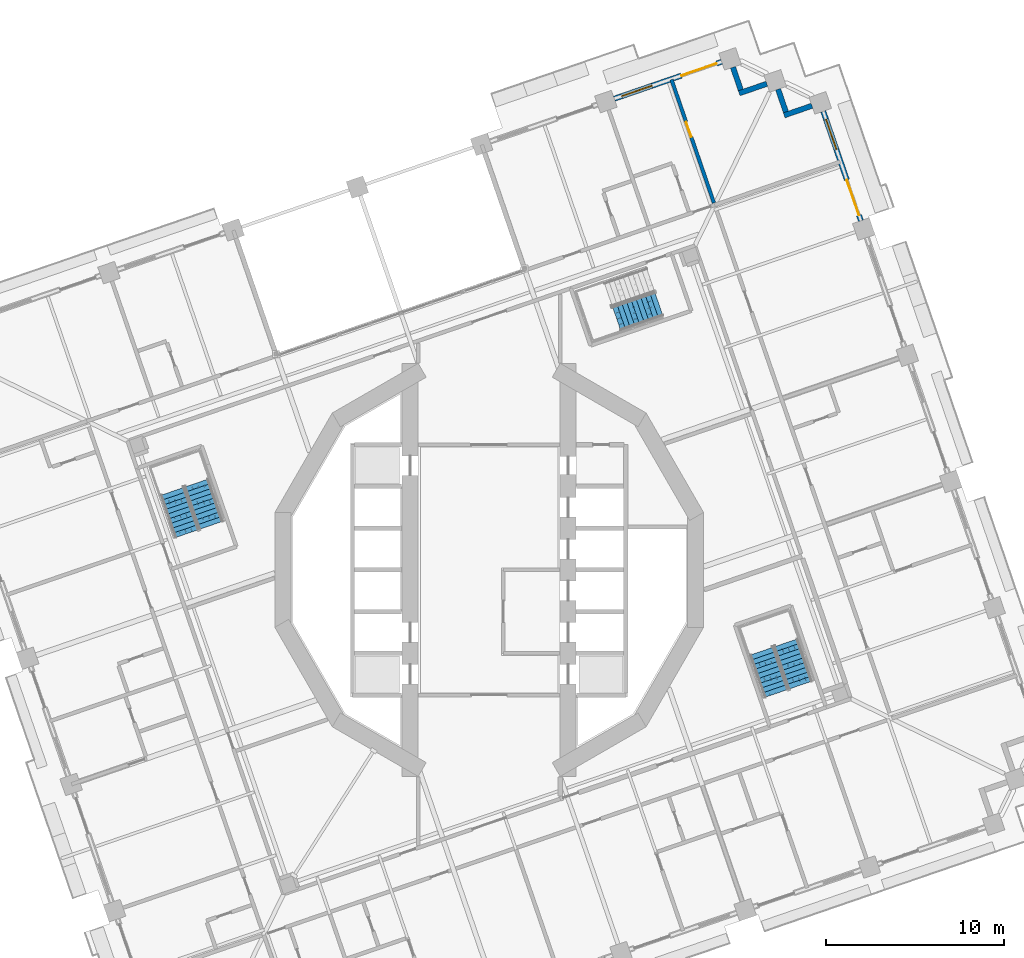
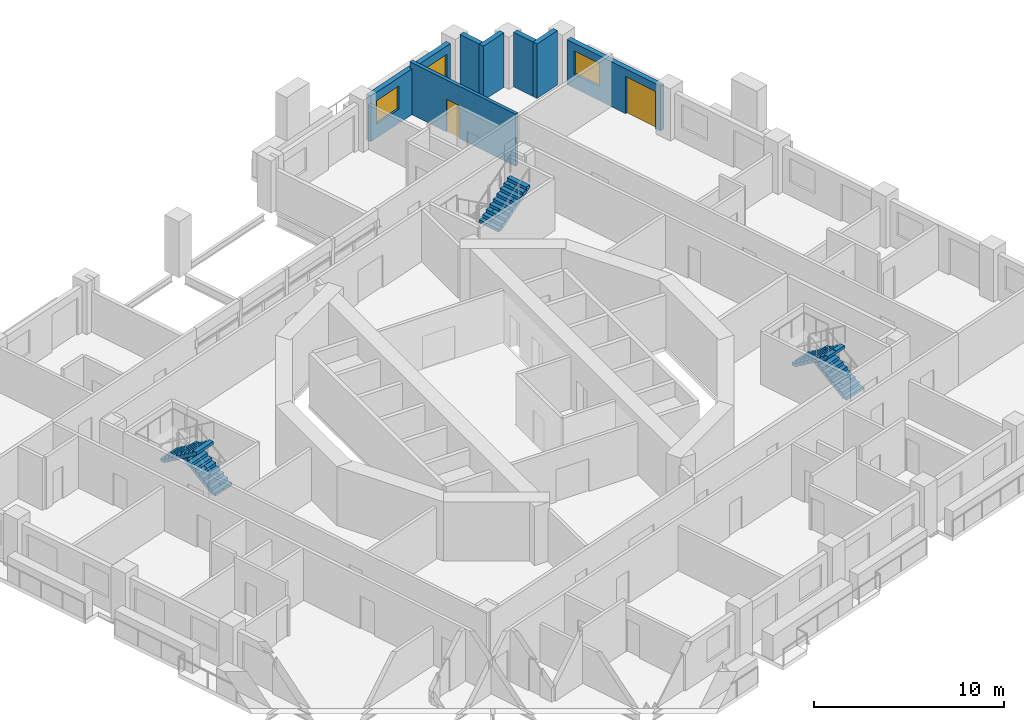
# One storey, part 13 of 22: 7 walls, 5 stair flights, 3 doors, 2 windows, 5 openings, 3 elements without a shape of their own.
"""IFC4 building model written with IfcOpenShell, lengths in metres."""

from ifc_helpers import new_model, si_unit, direction, frame, frame_2d, origin, place, context, subcontext, project, spatial, polyline, rectangle, outline, extrude, material, layer, layer_set, type_object, element, fill, aggregate, save


model = new_model("IFC4")

# Units and contexts
model_context = context("Model", 3, precision=1e-05, world=origin(), true_north=direction((0.0, 1.0)))
body_context = subcontext(model_context, "Body", "Model", "MODEL_VIEW")
ifc_project = project(units=[si_unit("LENGTHUNIT", "METRE"), si_unit("AREAUNIT", "SQUARE_METRE"), si_unit("VOLUMEUNIT", "CUBIC_METRE"), si_unit("PLANEANGLEUNIT", "RADIAN"), si_unit("MASSUNIT", "GRAM", prefix="KILO")], contexts=[model_context])

# Site, building, storey
site_placement = place(None, origin())
site = spatial("IfcSite", under=ifc_project, at=site_placement, CompositionType="ELEMENT")
building_placement = place(site_placement, origin())
building = spatial("IfcBuilding", under=site, at=building_placement, Name="Cantera Rosa Tower", CompositionType="ELEMENT")
storey_placement = place(building_placement, frame((0.0, 0.0, 138.300048828125)))
storey = spatial("IfcBuildingStorey", under=building, at=storey_placement, Name="L29", CompositionType="ELEMENT", Elevation=138.300048828125)

# Walls
ifc_material_1 = material(Name="Hollow clay masonry with cantera stone cladding", Category="masonry")
ifc_layer_1 = layer(ifc_material_1, 0.300048828125)
ifc_layer_set_1 = layer_set([ifc_layer_1], Name="EW-LOGGIA 300")
wall_type_1 = type_object("IfcWallType", Name="EW-LOGGIA 300", PredefinedType="SOLIDWALL", material=ifc_layer_set_1)
wall_1_placement = place(storey_placement, frame((18.17919921875, 26.142822265625, 0.0), z_axis=(0.0, 0.0, 1.0), x_axis=(-0.945530119553, -0.32553462645, 0.0)))
element("IfcWall", 1, at=wall_1_placement, inside=storey, type_object=wall_type_1, Name="EN-L29-W06a", PredefinedType="SOLIDWALL", context=body_context, shape_type="SweptSolid", body=[
    extrude(rectangle(XDim=1.64990234375, YDim=0.300048828125, at=frame_2d((0.824951171875, 0.0))), origin(), (0.0, 0.0, 1.0), 3.5),
])
wall_2_placement = place(storey_placement, frame((16.7119140625, 25.79638671875, 0.0), z_axis=(0.0, 0.0, 1.0), x_axis=(-0.325544748006, 0.945526634763, 0.0)))
element("IfcWall", 2, at=wall_2_placement, inside=storey, type_object=wall_type_1, Name="EN-L29-W06b", PredefinedType="SOLIDWALL", context=body_context, shape_type="SweptSolid", body=[
    extrude(rectangle(XDim=1.349853515625, YDim=0.300048828125, at=frame_2d((0.6748046875, 0.0))), origin(), (0.0, 0.0, 1.0), 3.5),
])
wall_3_placement = place(storey_placement, frame((15.636962890625, 27.3828125, 0.0), z_axis=(0.0, 0.0, 1.0), x_axis=(-0.945484566827, -0.325666906351, 0.0)))
element("IfcWall", 3, at=wall_3_placement, inside=storey, type_object=wall_type_1, Name="EN-L29-W07a", PredefinedType="SOLIDWALL", context=body_context, shape_type="SweptSolid", body=[
    extrude(rectangle(XDim=1.64990234375, YDim=0.300048828125, at=frame_2d((0.824951171875, 0.0))), origin(), (0.0, 0.0, 1.0), 3.5),
])
wall_4_placement = place(storey_placement, frame((14.169921875, 27.0361328125, 0.0), z_axis=(0.0, 0.0, 1.0), x_axis=(-0.325650742363, 0.945490134268, 0.0)))
element("IfcWall", 4, at=wall_4_placement, inside=storey, type_object=wall_type_1, Name="EN-L29-W07b", PredefinedType="SOLIDWALL", context=body_context, shape_type="SweptSolid", body=[
    extrude(rectangle(XDim=1.35009765625, YDim=0.300048828125, at=frame_2d((0.675048828125, 0.0))), origin(), (0.0, 0.0, 1.0), 3.5),
])

# Wall, openings, window, door
ifc_material_2 = material(Name="Hollow clay masonry with cantera stone cladding", Category="masonry")
ifc_layer_2 = layer(ifc_material_2, 0.300048828125)
ifc_layer_set_2 = layer_set([ifc_layer_2], Name="EW-LOGGIA 300 H2890")
wall_type_2 = type_object("IfcWallType", Name="EW-LOGGIA 300 H2890", PredefinedType="SOLIDWALL", material=ifc_layer_set_2)
wall_5_placement = place(storey_placement, frame((20.9375, 19.668212890625, 0.0), z_axis=(0.0, 0.0, 1.0), x_axis=(-0.325592517631, 0.945510186335, 0.0)))
wall_5 = element("IfcWall", 5, at=wall_5_placement, inside=storey, type_object=wall_type_2, Name="EN-L29-W05", PredefinedType="SOLIDWALL", context=body_context, shape_type="SweptSolid", body=[
    extrude(rectangle(XDim=6.519775390625, YDim=0.300048828125, at=frame_2d((3.259765625, 0.0))), origin(), (0.0, 0.0, 1.0), 2.889892578125),
])
opening_1_placement = place(wall_5_placement, frame((0.330078125, 0.0, 0.0)))
opening_1 = element("IfcOpeningElement", 6, at=opening_1_placement, cuts=wall_5, Name="Opening L29-TD09", PredefinedType="OPENING", context=body_context, shape_type="SweptSolid", body=[
    extrude(rectangle(XDim=2.10009765625, YDim=2.39990234375, at=frame_2d((1.050048828125, 1.199951171875))), frame((0.0, 0.159912109375, 0.0), z_axis=(0.0, -1.0, 0.0), x_axis=(1.0, 0.0, 0.0)), (0.0, 0.0, 1.0), 0.320068359375),
])
opening_2_placement = place(wall_5_placement, frame((4.239990234375, 0.0, 0.89990234375)))
opening_2 = element("IfcOpeningElement", 7, at=opening_2_placement, cuts=wall_5, Name="Opening L29-W10", PredefinedType="OPENING", context=body_context, shape_type="SweptSolid", body=[
    extrude(rectangle(XDim=1.800048828125, YDim=1.5, at=frame_2d((0.89990234375, 0.75))), frame((0.0, 0.159912109375, 0.0), z_axis=(0.0, -1.0, 0.0), x_axis=(1.0, 0.0, 0.0)), (0.0, 0.0, 1.0), 0.320068359375),
])
ifc_material_3 = material(Name="Aluminium frame with clear glass", Category="aluminium")
window_type = type_object("IfcWindowType", Name="Hotel room window 1800x1500", PartitioningType="DOUBLE_PANEL_VERTICAL", PredefinedType="WINDOW", material=ifc_material_3)
window_1_placement = place(opening_2_placement, origin())
window_1 = element("IfcWindow", 8, at=window_1_placement, inside=storey, type_object=window_type, Name="WINDOW L29-W10", OverallHeight=1.5, OverallWidth=1.800048828125, PartitioningType="SINGLE_PANEL", PredefinedType="WINDOW", context=body_context, shape_type="SweptSolid", body=[
    extrude(rectangle(XDim=1.800048828125, YDim=1.5, at=frame_2d((0.89990234375, 0.75))), frame((0.0, 0.030029296875, 0.0), z_axis=(0.0, -1.0, 0.0), x_axis=(1.0, 0.0, 0.0)), (0.0, 0.0, 1.0), 0.06005859375),
])
fill(opening_2, window_1)
ifc_material_4 = material(Name="Aluminium frame with clear glass", Category="aluminium")
door_type_1 = type_object("IfcDoorType", Name="TD-H 2100x2400", OperationType="NOTDEFINED", PredefinedType="DOOR", material=ifc_material_4)
door_1_placement = place(opening_1_placement, origin())
door_1 = element("IfcDoor", 9, at=door_1_placement, inside=storey, type_object=door_type_1, Name="LOGGIA DOOR L29-TD09", OperationType="SLIDING_TO_LEFT", OverallHeight=2.39990234375, OverallWidth=2.10009765625, PredefinedType="DOOR", context=body_context, shape_type="SweptSolid", body=[
    extrude(rectangle(XDim=2.10009765625, YDim=2.39990234375, at=frame_2d((1.050048828125, 1.199951171875))), frame((0.0, 0.02490234375, 0.0), z_axis=(0.0, -1.0, 0.0), x_axis=(1.0, 0.0, 0.0)), (0.0, 0.0, 1.0), 0.050048828125),
])
fill(opening_1, door_1)

ifc_material_5 = material(Name="Hollow clay masonry with cantera stone cladding", Category="masonry")
ifc_layer_3 = layer(ifc_material_5, 0.300048828125)
ifc_layer_set_3 = layer_set([ifc_layer_3], Name="EW-LOGGIA 300 H2940")
wall_type_3 = type_object("IfcWallType", Name="EW-LOGGIA 300 H2940", PredefinedType="SOLIDWALL", material=ifc_layer_set_3)
wall_6_placement = place(storey_placement, frame((13.0947265625, 28.62255859375, 0.0), z_axis=(0.0, 0.0, 1.0), x_axis=(-0.945524496524, -0.325550958337, 0.0)))
wall_6 = element("IfcWall", 10, at=wall_6_placement, inside=storey, type_object=wall_type_3, Name="EN-L29-W08", PredefinedType="SOLIDWALL", context=body_context, shape_type="SweptSolid", body=[
    extrude(rectangle(XDim=6.39990234375, YDim=0.300048828125, at=frame_2d((3.199951171875, 0.0))), origin(), (0.0, 0.0, 1.0), 2.93994140625),
])
opening_3_placement = place(wall_6_placement, frame((0.300048828125, 0.0, 0.0)))
opening_3 = element("IfcOpeningElement", 11, at=opening_3_placement, cuts=wall_6, Name="Opening L29-TD11", PredefinedType="OPENING", context=body_context, shape_type="SweptSolid", body=[
    extrude(rectangle(XDim=2.10009765625, YDim=2.39990234375, at=frame_2d((1.050048828125, 1.199951171875))), frame((0.0, 0.159912109375, 0.0), z_axis=(0.0, -1.0, 0.0), x_axis=(1.0, 0.0, 0.0)), (0.0, 0.0, 1.0), 0.320068359375),
])
opening_4_placement = place(wall_6_placement, frame((4.14990234375, 0.0, 0.89990234375)))
opening_4 = element("IfcOpeningElement", 12, at=opening_4_placement, cuts=wall_6, Name="Opening L29-W12", PredefinedType="OPENING", context=body_context, shape_type="SweptSolid", body=[
    extrude(rectangle(XDim=1.800048828125, YDim=1.5, at=frame_2d((0.89990234375, 0.75))), frame((0.0, 0.159912109375, 0.0), z_axis=(0.0, -1.0, 0.0), x_axis=(1.0, 0.0, 0.0)), (0.0, 0.0, 1.0), 0.320068359375),
])
window_2_placement = place(opening_4_placement, origin())
window_2 = element("IfcWindow", 13, at=window_2_placement, inside=storey, type_object=window_type, Name="WINDOW L29-W12", OverallHeight=1.5, OverallWidth=1.800048828125, PartitioningType="SINGLE_PANEL", PredefinedType="WINDOW", context=body_context, shape_type="SweptSolid", body=[
    extrude(rectangle(XDim=1.800048828125, YDim=1.5, at=frame_2d((0.89990234375, 0.75))), frame((0.0, 0.030029296875, 0.0), z_axis=(0.0, -1.0, 0.0), x_axis=(1.0, 0.0, 0.0)), (0.0, 0.0, 1.0), 0.06005859375),
])
fill(opening_4, window_2)
door_2_placement = place(opening_3_placement, origin())
door_2 = element("IfcDoor", 14, at=door_2_placement, inside=storey, type_object=door_type_1, Name="LOGGIA DOOR L29-TD11", OperationType="SLIDING_TO_LEFT", OverallHeight=2.39990234375, OverallWidth=2.10009765625, PredefinedType="DOOR", context=body_context, shape_type="SweptSolid", body=[
    extrude(rectangle(XDim=2.10009765625, YDim=2.39990234375, at=frame_2d((1.050048828125, 1.199951171875))), frame((0.0, 0.02490234375, 0.0), z_axis=(0.0, -1.0, 0.0), x_axis=(1.0, 0.0, 0.0)), (0.0, 0.0, 1.0), 0.050048828125),
])
fill(opening_3, door_2)

# Wall, opening, door
ifc_material_6 = material(Name="Gypsum board partition")
ifc_layer_4 = layer(ifc_material_6, 0.199951171875)
ifc_layer_set_4 = layer_set([ifc_layer_4], Name="PARTITION 200 H3350")
wall_type_4 = type_object("IfcWallType", Name="PARTITION 200 H3350", PredefinedType="PARTITIONING", material=ifc_layer_set_4)
wall_7_placement = place(storey_placement, frame((12.660888671875, 20.66796875, 0.0), z_axis=(0.0, 0.0, 1.0), x_axis=(-0.325549451152, 0.945525015457, 0.0)))
wall_7 = element("IfcWall", 15, at=wall_7_placement, inside=storey, type_object=wall_type_4, Name="PARTITION L29-093", PredefinedType="PARTITIONING", context=body_context, shape_type="SweptSolid", body=[
    extrude(rectangle(XDim=7.35009765625, YDim=0.199951171875, at=frame_2d((3.675048828125, 0.0))), origin(), (0.0, 0.0, 1.0), 3.349853515625),
])
opening_5_placement = place(wall_7_placement, frame((3.929931640625, 0.0, 0.0)))
opening_5 = element("IfcOpeningElement", 16, at=opening_5_placement, cuts=wall_7, Name="Opening L29-028", PredefinedType="OPENING", context=body_context, shape_type="SweptSolid", body=[
    extrude(rectangle(XDim=0.89990234375, YDim=2.10009765625, at=frame_2d((0.449951171875, 1.050048828125))), frame((0.0, 0.10986328125, 0.0), z_axis=(0.0, -1.0, 0.0), x_axis=(1.0, 0.0, 0.0)), (0.0, 0.0, 1.0), 0.219970703125),
])
ifc_material_7 = material(Name="Timber door leaf", Category="wood")
door_type_2 = type_object("IfcDoorType", Name="ROOM DOOR 900x2100", OperationType="NOTDEFINED", PredefinedType="DOOR", material=ifc_material_7)
door_3_placement = place(opening_5_placement, origin())
door_3 = element("IfcDoor", 17, at=door_3_placement, inside=storey, type_object=door_type_2, Name="DOOR L29-028", OperationType="NOTDEFINED", OverallHeight=2.10009765625, OverallWidth=0.89990234375, PredefinedType="DOOR", context=body_context, shape_type="SweptSolid", body=[
    extrude(rectangle(XDim=0.89990234375, YDim=2.10009765625, at=frame_2d((0.449951171875, 1.050048828125))), frame((0.0, 0.02490234375, 0.0), z_axis=(0.0, -1.0, 0.0), x_axis=(1.0, 0.0, 0.0)), (0.0, 0.0, 1.0), 0.050048828125),
])
fill(opening_5, door_3)

# Stair, stair flight
ifc_material_8 = material(Name="Concrete C35/45", Category="concrete")
stair_type = type_object("IfcStairType", Name="EXIT STAIR 1350 DOGLEG", PredefinedType="HALF_TURN_STAIR", material=ifc_material_8)
stair_1_placement = place(storey_placement, origin())
stair_1 = element("IfcStair", 18, at=stair_1_placement, inside=storey, type_object=stair_type, Name="L29 ST-21", PredefinedType="HALF_TURN_STAIR")
ifc_material_9 = material(Name="Concrete C35/45", Category="concrete")
stair_flight_type = type_object("IfcStairFlightType", Name="STAIR FLIGHT 1350 R20x190", PredefinedType="STRAIGHT", material=ifc_material_9)
stair_flight_1_placement = place(storey_placement, frame((7.185302734375, 14.126220703125, 1.89990234375), z_axis=(0.0, 0.0, 1.0), x_axis=(0.945518575599, 0.325568154457, 0.0)))
stair_flight_1 = element("IfcStairFlight", 19, at=stair_flight_1_placement, type_object=stair_flight_type, Name="ST-21 flight 2", NumberOfRisers=10, NumberOfTreads=9, PredefinedType="STRAIGHT", RiserHeight=0.19, TreadLength=0.28, context=body_context, shape_type="SweptSolid", body=[
    extrude(outline(polyline([(0.0, 0.0), (0.0, 0.18994140625), (0.280029296875, 0.18994140625), (0.280029296875, 0.3798828125), (0.56005859375, 0.3798828125), (0.56005859375, 0.570068359375), (0.840087890625, 0.570068359375), (0.840087890625, 0.760009765625), (1.1201171875, 0.760009765625), (1.1201171875, 0.949951171875), (1.39990234375, 0.949951171875), (1.39990234375, 1.139892578125), (1.679931640625, 1.139892578125), (1.679931640625, 1.330078125), (1.9599609375, 1.330078125), (1.9599609375, 1.52001953125), (2.239990234375, 1.52001953125), (2.239990234375, 1.7099609375), (2.52001953125, 1.7099609375), (2.52001953125, 1.89990234375), (2.52001953125, 1.52880859375), (0.266845703125, 0.0), (0.0, 0.0)])), frame((0.0, 0.675048828125, 0.0), z_axis=(0.0, -1.0, 0.0), x_axis=(1.0, 0.0, 0.0)), (0.0, 0.0, 1.0), 0.3359375),
    extrude(outline(polyline([(0.0, 0.0), (0.0, 0.18994140625), (0.280029296875, 0.18994140625), (0.280029296875, 0.3798828125), (0.56005859375, 0.3798828125), (0.56005859375, 0.570068359375), (0.840087890625, 0.570068359375), (0.840087890625, 0.760009765625), (1.1201171875, 0.760009765625), (1.1201171875, 0.949951171875), (1.39990234375, 0.949951171875), (1.39990234375, 1.139892578125), (1.679931640625, 1.139892578125), (1.679931640625, 1.330078125), (1.9599609375, 1.330078125), (1.9599609375, 1.52001953125), (2.239990234375, 1.52001953125), (2.239990234375, 1.7099609375), (2.52001953125, 1.7099609375), (2.52001953125, 1.89990234375), (2.52001953125, 1.52880859375), (0.266845703125, 0.0), (0.0, 0.0)])), frame((0.0, 0.337158203125, 0.0), z_axis=(0.0, -1.0, 0.0), x_axis=(1.0, 0.0, 0.0)), (0.0, 0.0, 1.0), 0.3359375),
    extrude(outline(polyline([(0.0, 0.0), (0.0, 0.18994140625), (0.280029296875, 0.18994140625), (0.280029296875, 0.3798828125), (0.56005859375, 0.3798828125), (0.56005859375, 0.570068359375), (0.840087890625, 0.570068359375), (0.840087890625, 0.760009765625), (1.1201171875, 0.760009765625), (1.1201171875, 0.949951171875), (1.39990234375, 0.949951171875), (1.39990234375, 1.139892578125), (1.679931640625, 1.139892578125), (1.679931640625, 1.330078125), (1.9599609375, 1.330078125), (1.9599609375, 1.52001953125), (2.239990234375, 1.52001953125), (2.239990234375, 1.7099609375), (2.52001953125, 1.7099609375), (2.52001953125, 1.89990234375), (2.52001953125, 1.52880859375), (0.266845703125, 0.0), (0.0, 0.0)])), frame((0.0, -0.000732421875, 0.0), z_axis=(0.0, -1.0, 0.0), x_axis=(1.0, 0.0, 0.0)), (0.0, 0.0, 1.0), 0.3359375),
    extrude(outline(polyline([(0.0, 0.0), (0.0, 0.18994140625), (0.280029296875, 0.18994140625), (0.280029296875, 0.3798828125), (0.56005859375, 0.3798828125), (0.56005859375, 0.570068359375), (0.840087890625, 0.570068359375), (0.840087890625, 0.760009765625), (1.1201171875, 0.760009765625), (1.1201171875, 0.949951171875), (1.39990234375, 0.949951171875), (1.39990234375, 1.139892578125), (1.679931640625, 1.139892578125), (1.679931640625, 1.330078125), (1.9599609375, 1.330078125), (1.9599609375, 1.52001953125), (2.239990234375, 1.52001953125), (2.239990234375, 1.7099609375), (2.52001953125, 1.7099609375), (2.52001953125, 1.89990234375), (2.52001953125, 1.52880859375), (0.266845703125, 0.0), (0.0, 0.0)])), frame((0.0, -0.338623046875, 0.0), z_axis=(0.0, -1.0, 0.0), x_axis=(1.0, 0.0, 0.0)), (0.0, 0.0, 1.0), 0.3359375),
])
aggregate(stair_1, [stair_flight_1])

# Stair, stair flights
stair_2_placement = place(storey_placement, origin())
stair_2 = element("IfcStair", 20, at=stair_2_placement, inside=storey, type_object=stair_type, Name="L29 ST-22", PredefinedType="HALF_TURN_STAIR")
stair_flight_2_placement = place(storey_placement, frame((-15.635009765625, 2.5205078125, 0.0), z_axis=(0.0, 0.0, 1.0), x_axis=(-0.325568154457, 0.945518575599, 0.0)))
stair_flight_2 = element("IfcStairFlight", 21, at=stair_flight_2_placement, type_object=stair_flight_type, Name="ST-22 flight 1", NumberOfRisers=10, NumberOfTreads=9, PredefinedType="STRAIGHT", RiserHeight=0.19, TreadLength=0.28, context=body_context, shape_type="SweptSolid", body=[
    extrude(outline(polyline([(0.0, 0.0), (0.0, 0.18994140625), (0.280029296875, 0.18994140625), (0.280029296875, 0.3798828125), (0.56005859375, 0.3798828125), (0.56005859375, 0.570068359375), (0.840087890625, 0.570068359375), (0.840087890625, 0.760009765625), (1.1201171875, 0.760009765625), (1.1201171875, 0.949951171875), (1.39990234375, 0.949951171875), (1.39990234375, 1.139892578125), (1.679931640625, 1.139892578125), (1.679931640625, 1.330078125), (1.9599609375, 1.330078125), (1.9599609375, 1.52001953125), (2.239990234375, 1.52001953125), (2.239990234375, 1.7099609375), (2.52001953125, 1.7099609375), (2.52001953125, 1.89990234375), (2.52001953125, 1.52880859375), (0.266845703125, 0.0), (0.0, 0.0)])), frame((0.0, 0.675048828125, 0.0), z_axis=(0.0, -1.0, 0.0), x_axis=(1.0, 0.0, 0.0)), (0.0, 0.0, 1.0), 0.3359375),
    extrude(outline(polyline([(0.0, 0.0), (0.0, 0.18994140625), (0.280029296875, 0.18994140625), (0.280029296875, 0.3798828125), (0.56005859375, 0.3798828125), (0.56005859375, 0.570068359375), (0.840087890625, 0.570068359375), (0.840087890625, 0.760009765625), (1.1201171875, 0.760009765625), (1.1201171875, 0.949951171875), (1.39990234375, 0.949951171875), (1.39990234375, 1.139892578125), (1.679931640625, 1.139892578125), (1.679931640625, 1.330078125), (1.9599609375, 1.330078125), (1.9599609375, 1.52001953125), (2.239990234375, 1.52001953125), (2.239990234375, 1.7099609375), (2.52001953125, 1.7099609375), (2.52001953125, 1.89990234375), (2.52001953125, 1.52880859375), (0.266845703125, 0.0), (0.0, 0.0)])), frame((0.0, 0.337158203125, 0.0), z_axis=(0.0, -1.0, 0.0), x_axis=(1.0, 0.0, 0.0)), (0.0, 0.0, 1.0), 0.3359375),
    extrude(outline(polyline([(0.0, 0.0), (0.0, 0.18994140625), (0.280029296875, 0.18994140625), (0.280029296875, 0.3798828125), (0.56005859375, 0.3798828125), (0.56005859375, 0.570068359375), (0.840087890625, 0.570068359375), (0.840087890625, 0.760009765625), (1.1201171875, 0.760009765625), (1.1201171875, 0.949951171875), (1.39990234375, 0.949951171875), (1.39990234375, 1.139892578125), (1.679931640625, 1.139892578125), (1.679931640625, 1.330078125), (1.9599609375, 1.330078125), (1.9599609375, 1.52001953125), (2.239990234375, 1.52001953125), (2.239990234375, 1.7099609375), (2.52001953125, 1.7099609375), (2.52001953125, 1.89990234375), (2.52001953125, 1.52880859375), (0.266845703125, 0.0), (0.0, 0.0)])), frame((0.0, -0.000732421875, 0.0), z_axis=(0.0, -1.0, 0.0), x_axis=(1.0, 0.0, 0.0)), (0.0, 0.0, 1.0), 0.3359375),
    extrude(outline(polyline([(0.0, 0.0), (0.0, 0.18994140625), (0.280029296875, 0.18994140625), (0.280029296875, 0.3798828125), (0.56005859375, 0.3798828125), (0.56005859375, 0.570068359375), (0.840087890625, 0.570068359375), (0.840087890625, 0.760009765625), (1.1201171875, 0.760009765625), (1.1201171875, 0.949951171875), (1.39990234375, 0.949951171875), (1.39990234375, 1.139892578125), (1.679931640625, 1.139892578125), (1.679931640625, 1.330078125), (1.9599609375, 1.330078125), (1.9599609375, 1.52001953125), (2.239990234375, 1.52001953125), (2.239990234375, 1.7099609375), (2.52001953125, 1.7099609375), (2.52001953125, 1.89990234375), (2.52001953125, 1.52880859375), (0.266845703125, 0.0), (0.0, 0.0)])), frame((0.0, -0.338623046875, 0.0), z_axis=(0.0, -1.0, 0.0), x_axis=(1.0, 0.0, 0.0)), (0.0, 0.0, 1.0), 0.3359375),
])
stair_flight_3_placement = place(storey_placement, frame((-17.873779296875, 4.414794921875, 1.89990234375), z_axis=(0.0, 0.0, 1.0), x_axis=(0.325568154457, -0.945518575599, 0.0)))
stair_flight_3 = element("IfcStairFlight", 22, at=stair_flight_3_placement, type_object=stair_flight_type, Name="ST-22 flight 2", NumberOfRisers=10, NumberOfTreads=9, PredefinedType="STRAIGHT", RiserHeight=0.19, TreadLength=0.28, context=body_context, shape_type="SweptSolid", body=[
    extrude(outline(polyline([(0.0, 0.0), (0.0, 0.18994140625), (0.280029296875, 0.18994140625), (0.280029296875, 0.3798828125), (0.56005859375, 0.3798828125), (0.56005859375, 0.570068359375), (0.840087890625, 0.570068359375), (0.840087890625, 0.760009765625), (1.1201171875, 0.760009765625), (1.1201171875, 0.949951171875), (1.39990234375, 0.949951171875), (1.39990234375, 1.139892578125), (1.679931640625, 1.139892578125), (1.679931640625, 1.330078125), (1.9599609375, 1.330078125), (1.9599609375, 1.52001953125), (2.239990234375, 1.52001953125), (2.239990234375, 1.7099609375), (2.52001953125, 1.7099609375), (2.52001953125, 1.89990234375), (2.52001953125, 1.52880859375), (0.266845703125, 0.0), (0.0, 0.0)])), frame((0.0, 0.675048828125, 0.0), z_axis=(0.0, -1.0, 0.0), x_axis=(1.0, 0.0, 0.0)), (0.0, 0.0, 1.0), 0.3359375),
    extrude(outline(polyline([(0.0, 0.0), (0.0, 0.18994140625), (0.280029296875, 0.18994140625), (0.280029296875, 0.3798828125), (0.56005859375, 0.3798828125), (0.56005859375, 0.570068359375), (0.840087890625, 0.570068359375), (0.840087890625, 0.760009765625), (1.1201171875, 0.760009765625), (1.1201171875, 0.949951171875), (1.39990234375, 0.949951171875), (1.39990234375, 1.139892578125), (1.679931640625, 1.139892578125), (1.679931640625, 1.330078125), (1.9599609375, 1.330078125), (1.9599609375, 1.52001953125), (2.239990234375, 1.52001953125), (2.239990234375, 1.7099609375), (2.52001953125, 1.7099609375), (2.52001953125, 1.89990234375), (2.52001953125, 1.52880859375), (0.266845703125, 0.0), (0.0, 0.0)])), frame((0.0, 0.337158203125, 0.0), z_axis=(0.0, -1.0, 0.0), x_axis=(1.0, 0.0, 0.0)), (0.0, 0.0, 1.0), 0.3359375),
    extrude(outline(polyline([(0.0, 0.0), (0.0, 0.18994140625), (0.280029296875, 0.18994140625), (0.280029296875, 0.3798828125), (0.56005859375, 0.3798828125), (0.56005859375, 0.570068359375), (0.840087890625, 0.570068359375), (0.840087890625, 0.760009765625), (1.1201171875, 0.760009765625), (1.1201171875, 0.949951171875), (1.39990234375, 0.949951171875), (1.39990234375, 1.139892578125), (1.679931640625, 1.139892578125), (1.679931640625, 1.330078125), (1.9599609375, 1.330078125), (1.9599609375, 1.52001953125), (2.239990234375, 1.52001953125), (2.239990234375, 1.7099609375), (2.52001953125, 1.7099609375), (2.52001953125, 1.89990234375), (2.52001953125, 1.52880859375), (0.266845703125, 0.0), (0.0, 0.0)])), frame((0.0, -0.000732421875, 0.0), z_axis=(0.0, -1.0, 0.0), x_axis=(1.0, 0.0, 0.0)), (0.0, 0.0, 1.0), 0.3359375),
    extrude(outline(polyline([(0.0, 0.0), (0.0, 0.18994140625), (0.280029296875, 0.18994140625), (0.280029296875, 0.3798828125), (0.56005859375, 0.3798828125), (0.56005859375, 0.570068359375), (0.840087890625, 0.570068359375), (0.840087890625, 0.760009765625), (1.1201171875, 0.760009765625), (1.1201171875, 0.949951171875), (1.39990234375, 0.949951171875), (1.39990234375, 1.139892578125), (1.679931640625, 1.139892578125), (1.679931640625, 1.330078125), (1.9599609375, 1.330078125), (1.9599609375, 1.52001953125), (2.239990234375, 1.52001953125), (2.239990234375, 1.7099609375), (2.52001953125, 1.7099609375), (2.52001953125, 1.89990234375), (2.52001953125, 1.52880859375), (0.266845703125, 0.0), (0.0, 0.0)])), frame((0.0, -0.338623046875, 0.0), z_axis=(0.0, -1.0, 0.0), x_axis=(1.0, 0.0, 0.0)), (0.0, 0.0, 1.0), 0.3359375),
])
aggregate(stair_2, [stair_flight_2, stair_flight_3])

stair_3_placement = place(storey_placement, origin())
stair_3 = element("IfcStair", 23, at=stair_3_placement, inside=storey, type_object=stair_type, Name="L29 ST-23", PredefinedType="HALF_TURN_STAIR")
stair_flight_4_placement = place(storey_placement, frame((17.56494140625, -6.4794921875, 0.0), z_axis=(0.0, 0.0, 1.0), x_axis=(-0.325568154457, 0.945518575599, 0.0)))
stair_flight_4 = element("IfcStairFlight", 24, at=stair_flight_4_placement, type_object=stair_flight_type, Name="ST-23 flight 1", NumberOfRisers=10, NumberOfTreads=9, PredefinedType="STRAIGHT", RiserHeight=0.19, TreadLength=0.28, context=body_context, shape_type="SweptSolid", body=[
    extrude(outline(polyline([(0.0, 0.0), (0.0, 0.18994140625), (0.280029296875, 0.18994140625), (0.280029296875, 0.3798828125), (0.56005859375, 0.3798828125), (0.56005859375, 0.570068359375), (0.840087890625, 0.570068359375), (0.840087890625, 0.760009765625), (1.1201171875, 0.760009765625), (1.1201171875, 0.949951171875), (1.39990234375, 0.949951171875), (1.39990234375, 1.139892578125), (1.679931640625, 1.139892578125), (1.679931640625, 1.330078125), (1.9599609375, 1.330078125), (1.9599609375, 1.52001953125), (2.239990234375, 1.52001953125), (2.239990234375, 1.7099609375), (2.52001953125, 1.7099609375), (2.52001953125, 1.89990234375), (2.52001953125, 1.52880859375), (0.266845703125, 0.0), (0.0, 0.0)])), frame((0.0, 0.675048828125, 0.0), z_axis=(0.0, -1.0, 0.0), x_axis=(1.0, 0.0, 0.0)), (0.0, 0.0, 1.0), 0.3359375),
    extrude(outline(polyline([(0.0, 0.0), (0.0, 0.18994140625), (0.280029296875, 0.18994140625), (0.280029296875, 0.3798828125), (0.56005859375, 0.3798828125), (0.56005859375, 0.570068359375), (0.840087890625, 0.570068359375), (0.840087890625, 0.760009765625), (1.1201171875, 0.760009765625), (1.1201171875, 0.949951171875), (1.39990234375, 0.949951171875), (1.39990234375, 1.139892578125), (1.679931640625, 1.139892578125), (1.679931640625, 1.330078125), (1.9599609375, 1.330078125), (1.9599609375, 1.52001953125), (2.239990234375, 1.52001953125), (2.239990234375, 1.7099609375), (2.52001953125, 1.7099609375), (2.52001953125, 1.89990234375), (2.52001953125, 1.52880859375), (0.266845703125, 0.0), (0.0, 0.0)])), frame((0.0, 0.337158203125, 0.0), z_axis=(0.0, -1.0, 0.0), x_axis=(1.0, 0.0, 0.0)), (0.0, 0.0, 1.0), 0.3359375),
    extrude(outline(polyline([(0.0, 0.0), (0.0, 0.18994140625), (0.280029296875, 0.18994140625), (0.280029296875, 0.3798828125), (0.56005859375, 0.3798828125), (0.56005859375, 0.570068359375), (0.840087890625, 0.570068359375), (0.840087890625, 0.760009765625), (1.1201171875, 0.760009765625), (1.1201171875, 0.949951171875), (1.39990234375, 0.949951171875), (1.39990234375, 1.139892578125), (1.679931640625, 1.139892578125), (1.679931640625, 1.330078125), (1.9599609375, 1.330078125), (1.9599609375, 1.52001953125), (2.239990234375, 1.52001953125), (2.239990234375, 1.7099609375), (2.52001953125, 1.7099609375), (2.52001953125, 1.89990234375), (2.52001953125, 1.52880859375), (0.266845703125, 0.0), (0.0, 0.0)])), frame((0.0, -0.000732421875, 0.0), z_axis=(0.0, -1.0, 0.0), x_axis=(1.0, 0.0, 0.0)), (0.0, 0.0, 1.0), 0.3359375),
    extrude(outline(polyline([(0.0, 0.0), (0.0, 0.18994140625), (0.280029296875, 0.18994140625), (0.280029296875, 0.3798828125), (0.56005859375, 0.3798828125), (0.56005859375, 0.570068359375), (0.840087890625, 0.570068359375), (0.840087890625, 0.760009765625), (1.1201171875, 0.760009765625), (1.1201171875, 0.949951171875), (1.39990234375, 0.949951171875), (1.39990234375, 1.139892578125), (1.679931640625, 1.139892578125), (1.679931640625, 1.330078125), (1.9599609375, 1.330078125), (1.9599609375, 1.52001953125), (2.239990234375, 1.52001953125), (2.239990234375, 1.7099609375), (2.52001953125, 1.7099609375), (2.52001953125, 1.89990234375), (2.52001953125, 1.52880859375), (0.266845703125, 0.0), (0.0, 0.0)])), frame((0.0, -0.338623046875, 0.0), z_axis=(0.0, -1.0, 0.0), x_axis=(1.0, 0.0, 0.0)), (0.0, 0.0, 1.0), 0.3359375),
])
stair_flight_5_placement = place(storey_placement, frame((15.326171875, -4.585205078125, 1.89990234375), z_axis=(0.0, 0.0, 1.0), x_axis=(0.325568154457, -0.945518575599, 0.0)))
stair_flight_5 = element("IfcStairFlight", 25, at=stair_flight_5_placement, type_object=stair_flight_type, Name="ST-23 flight 2", NumberOfRisers=10, NumberOfTreads=9, PredefinedType="STRAIGHT", RiserHeight=0.19, TreadLength=0.28, context=body_context, shape_type="SweptSolid", body=[
    extrude(outline(polyline([(0.0, 0.0), (0.0, 0.18994140625), (0.280029296875, 0.18994140625), (0.280029296875, 0.3798828125), (0.56005859375, 0.3798828125), (0.56005859375, 0.570068359375), (0.840087890625, 0.570068359375), (0.840087890625, 0.760009765625), (1.1201171875, 0.760009765625), (1.1201171875, 0.949951171875), (1.39990234375, 0.949951171875), (1.39990234375, 1.139892578125), (1.679931640625, 1.139892578125), (1.679931640625, 1.330078125), (1.9599609375, 1.330078125), (1.9599609375, 1.52001953125), (2.239990234375, 1.52001953125), (2.239990234375, 1.7099609375), (2.52001953125, 1.7099609375), (2.52001953125, 1.89990234375), (2.52001953125, 1.52880859375), (0.266845703125, 0.0), (0.0, 0.0)])), frame((0.0, 0.675048828125, 0.0), z_axis=(0.0, -1.0, 0.0), x_axis=(1.0, 0.0, 0.0)), (0.0, 0.0, 1.0), 0.3359375),
    extrude(outline(polyline([(0.0, 0.0), (0.0, 0.18994140625), (0.280029296875, 0.18994140625), (0.280029296875, 0.3798828125), (0.56005859375, 0.3798828125), (0.56005859375, 0.570068359375), (0.840087890625, 0.570068359375), (0.840087890625, 0.760009765625), (1.1201171875, 0.760009765625), (1.1201171875, 0.949951171875), (1.39990234375, 0.949951171875), (1.39990234375, 1.139892578125), (1.679931640625, 1.139892578125), (1.679931640625, 1.330078125), (1.9599609375, 1.330078125), (1.9599609375, 1.52001953125), (2.239990234375, 1.52001953125), (2.239990234375, 1.7099609375), (2.52001953125, 1.7099609375), (2.52001953125, 1.89990234375), (2.52001953125, 1.52880859375), (0.266845703125, 0.0), (0.0, 0.0)])), frame((0.0, 0.337158203125, 0.0), z_axis=(0.0, -1.0, 0.0), x_axis=(1.0, 0.0, 0.0)), (0.0, 0.0, 1.0), 0.3359375),
    extrude(outline(polyline([(0.0, 0.0), (0.0, 0.18994140625), (0.280029296875, 0.18994140625), (0.280029296875, 0.3798828125), (0.56005859375, 0.3798828125), (0.56005859375, 0.570068359375), (0.840087890625, 0.570068359375), (0.840087890625, 0.760009765625), (1.1201171875, 0.760009765625), (1.1201171875, 0.949951171875), (1.39990234375, 0.949951171875), (1.39990234375, 1.139892578125), (1.679931640625, 1.139892578125), (1.679931640625, 1.330078125), (1.9599609375, 1.330078125), (1.9599609375, 1.52001953125), (2.239990234375, 1.52001953125), (2.239990234375, 1.7099609375), (2.52001953125, 1.7099609375), (2.52001953125, 1.89990234375), (2.52001953125, 1.52880859375), (0.266845703125, 0.0), (0.0, 0.0)])), frame((0.0, -0.000732421875, 0.0), z_axis=(0.0, -1.0, 0.0), x_axis=(1.0, 0.0, 0.0)), (0.0, 0.0, 1.0), 0.3359375),
    extrude(outline(polyline([(0.0, 0.0), (0.0, 0.18994140625), (0.280029296875, 0.18994140625), (0.280029296875, 0.3798828125), (0.56005859375, 0.3798828125), (0.56005859375, 0.570068359375), (0.840087890625, 0.570068359375), (0.840087890625, 0.760009765625), (1.1201171875, 0.760009765625), (1.1201171875, 0.949951171875), (1.39990234375, 0.949951171875), (1.39990234375, 1.139892578125), (1.679931640625, 1.139892578125), (1.679931640625, 1.330078125), (1.9599609375, 1.330078125), (1.9599609375, 1.52001953125), (2.239990234375, 1.52001953125), (2.239990234375, 1.7099609375), (2.52001953125, 1.7099609375), (2.52001953125, 1.89990234375), (2.52001953125, 1.52880859375), (0.266845703125, 0.0), (0.0, 0.0)])), frame((0.0, -0.338623046875, 0.0), z_axis=(0.0, -1.0, 0.0), x_axis=(1.0, 0.0, 0.0)), (0.0, 0.0, 1.0), 0.3359375),
])
aggregate(stair_3, [stair_flight_4, stair_flight_5])

save(model, "model.ifc")
